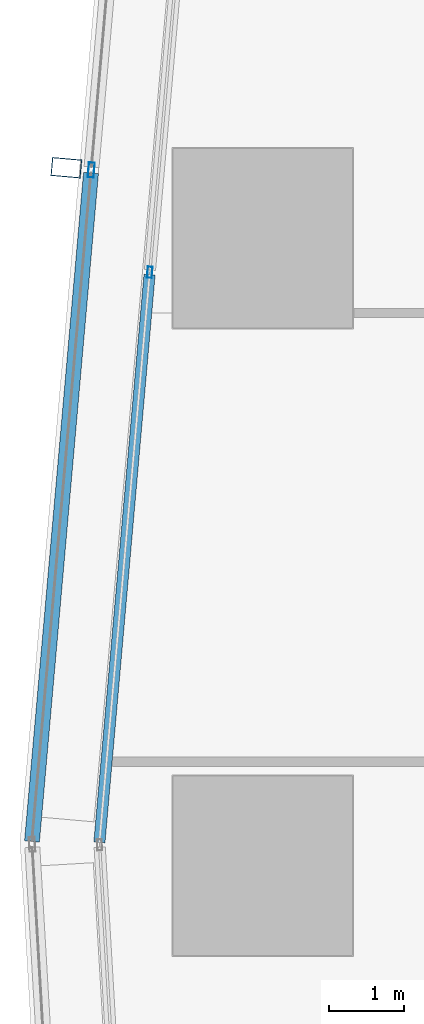
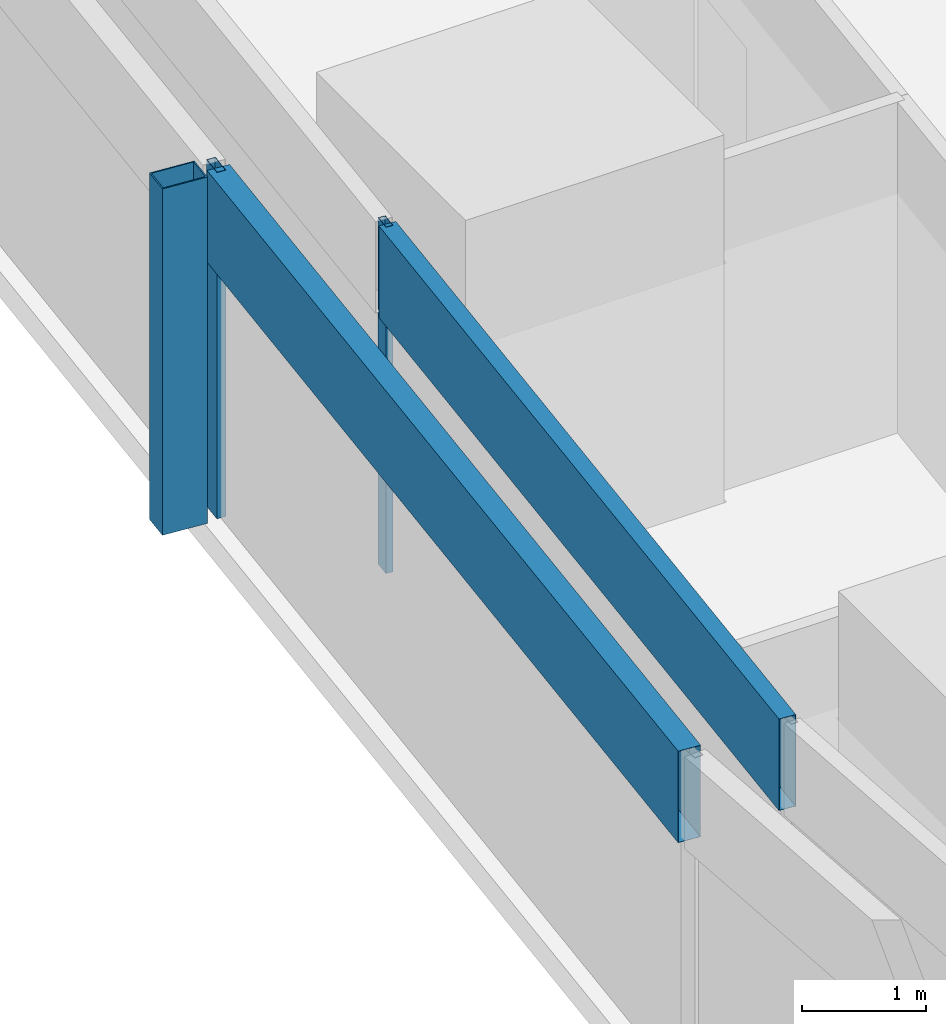
# One storey, part 12 of 34: 5 members, 2 elements without a shape of their own.
"""IFC4 building model written with IfcOpenShell, lengths in metres."""

from ifc_helpers import new_model, si_unit, direction, frame, origin, origin_2d, place, context, subcontext, project, spatial, hollow_rectangle, extrude, material, material_profile, profile_set, type_object, element, aggregate, save


model = new_model("IFC4")

# Units and contexts
model_context = context("Model", 3, precision=1e-05, world=origin(), true_north=direction((0.0, 1.0)))
body_context = subcontext(model_context, "Body", "Model", "MODEL_VIEW")
ifc_project = project(units=[si_unit("LENGTHUNIT", "METRE"), si_unit("AREAUNIT", "SQUARE_METRE"), si_unit("VOLUMEUNIT", "CUBIC_METRE"), si_unit("PLANEANGLEUNIT", "RADIAN"), si_unit("MASSUNIT", "GRAM", prefix="KILO")], contexts=[model_context])

# Site, building, storey
site_placement = place(None, origin())
site = spatial("IfcSite", under=ifc_project, at=site_placement, CompositionType="ELEMENT")
building_placement = place(site_placement, origin())
building = spatial("IfcBuilding", under=site, at=building_placement, Name="Rekha Terrace Tower", CompositionType="ELEMENT")
storey_placement = place(building_placement, frame((0.0, 0.0, 236.449951171875)))
storey = spatial("IfcBuildingStorey", under=building, at=storey_placement, Name="L60", CompositionType="ELEMENT", Elevation=236.449951171875)

# Curtain wall, member
ifc_material_1 = material(Name="Aluminium framing", Category="aluminium")
curtain_wall_type_1 = type_object("IfcCurtainWallType", Name="CW2 double skin outer glazing", PredefinedType="USERDEFINED", material=ifc_material_1)
curtain_wall_1_placement = place(storey_placement, origin())
curtain_wall_1 = element("IfcCurtainWall", 1, at=curtain_wall_1_placement, inside=storey, type_object=curtain_wall_type_1, Name="CW2 double skin outer glazing", ObjectType="DOUBLE SKIN OUTER GLAZING", PredefinedType="USERDEFINED")
ifc_material_2 = material(Name="Steel S355 with fluorocarbon finish", Category="steel")
ifc_material_profile_1 = material_profile(ifc_material_2, hollow_rectangle(XDim=0.25, YDim=0.39990234375, WallThickness=0.012451171875, at=origin_2d()), Name="RHS400x250x12.5")
ifc_profile_set_1 = profile_set([ifc_material_profile_1], Name="Steel S355 with fluorocarbon finish")
member_type_1 = type_object("IfcMemberType", Name="BL1 facade blade RHS 400 x 250", PredefinedType="USERDEFINED", material=ifc_profile_set_1)
member_1_placement = place(storey_placement, frame((5.77001953125, 51.341796875, 0.0), z_axis=(0.0, 0.0, 1.0), x_axis=(-0.087957249501, -0.996124250413, 0.0)))
member_1 = element("IfcMember", 2, at=member_1_placement, type_object=member_type_1, Name="Facade blade", ObjectType="FACADE BLADE", PredefinedType="USERDEFINED", context=body_context, shape_type="SweptSolid", body=[
    extrude(hollow_rectangle(XDim=0.25, YDim=0.39990234375, WallThickness=0.012451171875, at=origin_2d()), origin(), (0.0, 0.0, 1.0), 3.400146484375),
])

# Curtain wall, members
curtain_wall_type_2 = type_object("IfcCurtainWallType", Name="CW1 double skin inner glazing", PredefinedType="USERDEFINED", material=ifc_material_1)
curtain_wall_2_placement = place(storey_placement, origin())
curtain_wall_2 = element("IfcCurtainWall", 3, at=curtain_wall_2_placement, inside=storey, type_object=curtain_wall_type_2, Name="CW1 double skin inner glazing", ObjectType="DOUBLE SKIN INNER GLAZING", PredefinedType="USERDEFINED")
ifc_material_3 = material(Name="Aluminium mullion section", Category="aluminium")
ifc_material_profile_2 = material_profile(ifc_material_3, hollow_rectangle(XDim=0.06494140625, YDim=0.14990234375, WallThickness=0.00390625, at=origin_2d()), Name="AL RHS 65x150")
ifc_profile_set_2 = profile_set([ifc_material_profile_2], Name="Aluminium mullion section")
member_type_2 = type_object("IfcMemberType", Name="CW1 mullion RHS 65 x 150", PredefinedType="MULLION", material=ifc_profile_set_2)
member_2_placement = place(storey_placement, frame((6.886474609375, 49.943115234375, 0.0), z_axis=(0.0, 0.0, 1.0), x_axis=(0.996124185427, -0.087957985471, 0.0)))
member_2 = element("IfcMember", 4, at=member_2_placement, type_object=member_type_2, Name="CW1 mullion 2", PredefinedType="MULLION", context=body_context, shape_type="SweptSolid", body=[
    extrude(hollow_rectangle(XDim=0.06494140625, YDim=0.14990234375, WallThickness=0.00390625, at=origin_2d()), origin(), (0.0, 0.0, 1.0), 3.400146484375),
])
ifc_material_4 = material(Name="Insulated aluminium spandrel box", Category="aluminium")
ifc_material_profile_3 = material_profile(ifc_material_4, hollow_rectangle(XDim=0.14990234375, YDim=0.89990234375, WallThickness=0.0029296875, at=origin_2d()), Name="AL SPANDREL BOX 150x900")
ifc_profile_set_3 = profile_set([ifc_material_profile_3], Name="Insulated aluminium spandrel box")
member_type_3 = type_object("IfcMemberType", Name="CW1 spandrel transom 150 x 900", PredefinedType="USERDEFINED", material=ifc_profile_set_3)
member_3_placement = place(storey_placement, frame((6.883544921875, 49.91064453125, 2.949951171875), z_axis=(-0.087977901536, -0.996122426633, 0.0), x_axis=(0.996122426633, -0.087977901536, 0.0)))
member_3 = element("IfcMember", 5, at=member_3_placement, type_object=member_type_3, Name="CW1 spandrel transom 2", ObjectType="TRANSOM", PredefinedType="USERDEFINED", context=body_context, shape_type="SweptSolid", body=[
    extrude(hollow_rectangle(XDim=0.14990234375, YDim=0.89990234375, WallThickness=0.0029296875, at=origin_2d()), origin(), (0.0, 0.0, 1.0), 7.625732421875),
])
aggregate(curtain_wall_2, [member_2, member_3])

# Member
ifc_material_profile_4 = material_profile(ifc_material_3, hollow_rectangle(XDim=0.080078125, YDim=0.199951171875, WallThickness=0.00390625, at=origin_2d()), Name="AL RHS 80x200")
ifc_profile_set_4 = profile_set([ifc_material_profile_4], Name="Aluminium mullion section")
member_type_4 = type_object("IfcMemberType", Name="CW2 mullion RHS 80 x 200", PredefinedType="MULLION", material=ifc_profile_set_4)
member_4_placement = place(storey_placement, frame((6.103759765625, 51.312255859375, 0.0), z_axis=(0.0, 0.0, 1.0), x_axis=(0.996124185428, -0.087957985453, 0.0)))
member_4 = element("IfcMember", 6, at=member_4_placement, type_object=member_type_4, Name="CW2 mullion 2", PredefinedType="MULLION", context=body_context, shape_type="SweptSolid", body=[
    extrude(hollow_rectangle(XDim=0.080078125, YDim=0.199951171875, WallThickness=0.00390625, at=origin_2d()), origin(), (0.0, 0.0, 1.0), 3.400146484375),
])

ifc_material_profile_5 = material_profile(ifc_material_4, hollow_rectangle(XDim=0.199951171875, YDim=0.89990234375, WallThickness=0.0029296875, at=origin_2d()), Name="AL SPANDREL BOX 200x900")
ifc_profile_set_5 = profile_set([ifc_material_profile_5], Name="Insulated aluminium spandrel box")
member_type_5 = type_object("IfcMemberType", Name="CW2 spandrel transom 200 x 900", PredefinedType="USERDEFINED", material=ifc_profile_set_5)
member_5_placement = place(storey_placement, frame((6.100341796875, 51.2724609375, 2.949951171875), z_axis=(-0.087981092326, -0.996122144816, 0.0), x_axis=(0.996122144816, -0.087981092326, 0.0)))
member_5 = element("IfcMember", 7, at=member_5_placement, type_object=member_type_5, Name="CW2 spandrel transom 2", ObjectType="TRANSOM", PredefinedType="USERDEFINED", context=body_context, shape_type="SweptSolid", body=[
    extrude(hollow_rectangle(XDim=0.199951171875, YDim=0.89990234375, WallThickness=0.0029296875, at=origin_2d()), origin(), (0.0, 0.0, 1.0), 8.979736328125),
])

aggregate(curtain_wall_1, [member_4, member_5, member_1])

save(model, "model.ifc")
